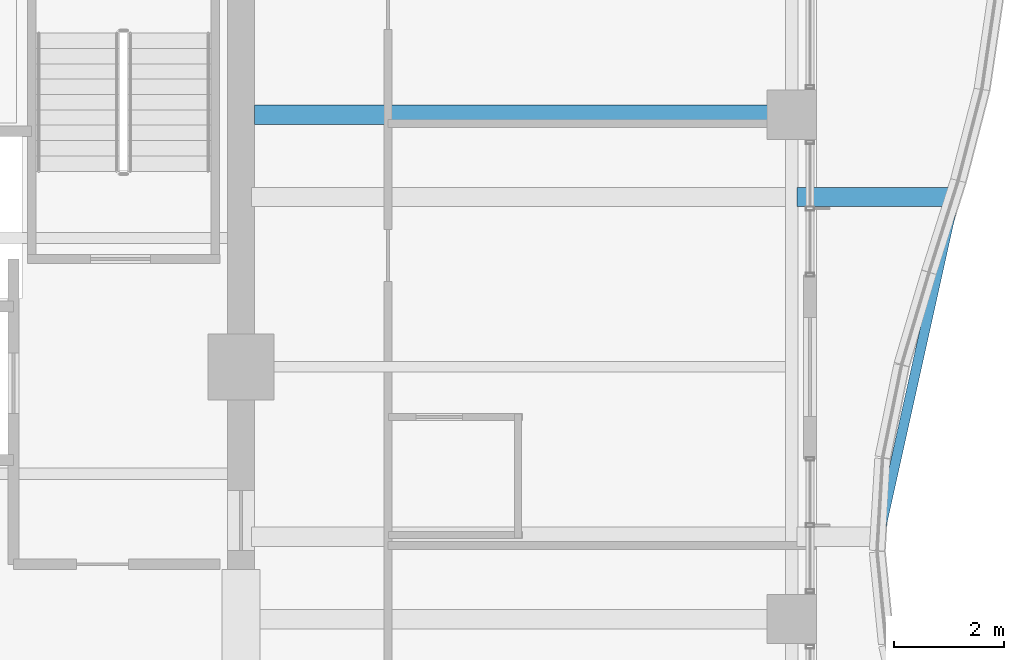
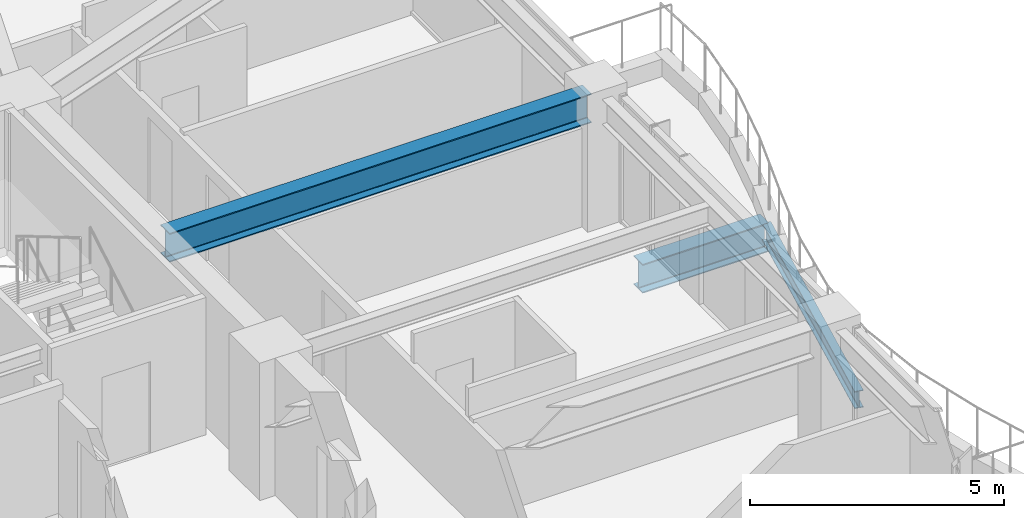
# One storey, part 14 of 34: 3 beams.
"""IFC4 building model written with IfcOpenShell, lengths in metres."""

from ifc_helpers import new_model, si_unit, direction, frame, origin, origin_2d, place, context, subcontext, project, spatial, i_section, extrude, material, material_profile, profile_set, type_object, element, save


model = new_model("IFC4")

# Units and contexts
model_context = context("Model", 3, precision=1e-05, world=origin(), true_north=direction((0.0, 1.0)))
body_context = subcontext(model_context, "Body", "Model", "MODEL_VIEW")
ifc_project = project(units=[si_unit("LENGTHUNIT", "METRE"), si_unit("AREAUNIT", "SQUARE_METRE"), si_unit("VOLUMEUNIT", "CUBIC_METRE"), si_unit("PLANEANGLEUNIT", "RADIAN"), si_unit("MASSUNIT", "GRAM", prefix="KILO")], contexts=[model_context])

# Site, building, storey
site_placement = place(None, origin())
site = spatial("IfcSite", under=ifc_project, at=site_placement, CompositionType="ELEMENT")
building_placement = place(site_placement, origin())
building = spatial("IfcBuilding", under=site, at=building_placement, Name="Kolvaren Belvedere", CompositionType="ELEMENT")
storey_placement = place(building_placement, frame((0.0, 0.0, 189.89990234375)))
storey = spatial("IfcBuildingStorey", under=building, at=storey_placement, Name="L55", CompositionType="ELEMENT", Elevation=189.89990234375)

# Beams
ifc_material_1 = material(Name="Structural steel ASTM A992 Grade 50", Category="steel")
ifc_material_profile_1 = material_profile(ifc_material_1, i_section(OverallWidth=0.35498046875, OverallDepth=0.696044921875, WebThickness=0.015380859375, FlangeThickness=0.02490234375, FilletRadius=0.02197265625, at=origin_2d()), Name="W27X146")
ifc_profile_set_1 = profile_set([ifc_material_profile_1], Name="Structural steel ASTM A992 Grade 50")
beam_type_1 = type_object("IfcBeamType", Name="BM-CANT-BAL", PredefinedType="BEAM", material=ifc_profile_set_1)
beam_1_placement = place(storey_placement, frame((20.044921875, 3.10009765625, -0.56787109375), z_axis=(1.0, 0.0, 0.0), x_axis=(0.0, 1.0, 0.0)))
element("IfcBeam", 1, at=beam_1_placement, inside=storey, type_object=beam_type_1, Name="L55 Planted Balcony Cantilever BAL-E-2", PredefinedType="BEAM", context=body_context, shape_type="SweptSolid", body=[
    extrude(i_section(OverallWidth=0.35498046875, OverallDepth=0.696044921875, WebThickness=0.015380859375, FlangeThickness=0.02490234375, FilletRadius=0.02197265625, at=origin_2d()), origin(), (0.0, 0.0, 1.0), 2.8701171875),
])
ifc_material_2 = material(Name="Structural steel ASTM A992 Grade 50", Category="steel")
ifc_material_profile_2 = material_profile(ifc_material_2, i_section(OverallWidth=0.180908203125, OverallDepth=0.4169921875, WebThickness=0.010986328125, FlangeThickness=0.018310546875, FilletRadius=0.013916015625, at=origin_2d()), Name="W16X57")
ifc_profile_set_2 = profile_set([ifc_material_profile_2], Name="Structural steel ASTM A992 Grade 50")
beam_type_2 = type_object("IfcBeamType", Name="BM-EDGE-W16X57", PredefinedType="BEAM", material=ifc_profile_set_2)
beam_2_placement = place(storey_placement, frame((21.568115234375, -2.96337890625, -0.428466796875), z_axis=(0.216866590272, 0.97620125078, 0.0), x_axis=(-0.97620125078, 0.216866590272, 0.0)))
element("IfcBeam", 2, at=beam_2_placement, inside=storey, type_object=beam_type_2, Name="L55 Balcony Tip Header Beam BAL-E", PredefinedType="BEAM", context=body_context, shape_type="SweptSolid", body=[
    extrude(i_section(OverallWidth=0.180908203125, OverallDepth=0.4169921875, WebThickness=0.010986328125, FlangeThickness=0.018310546875, FilletRadius=0.013916015625, at=origin_2d()), origin(), (0.0, 0.0, 1.0), 6.0712890625),
])
ifc_material_3 = material(Name="Structural steel ASTM A992 Grade 50", Category="steel")
ifc_material_profile_3 = material_profile(ifc_material_3, i_section(OverallWidth=0.35498046875, OverallDepth=0.696044921875, WebThickness=0.015380859375, FlangeThickness=0.02490234375, FilletRadius=0.02197265625, at=origin_2d()), Name="W27X146")
ifc_profile_set_3 = profile_set([ifc_material_profile_3], Name="Structural steel ASTM A992 Grade 50")
beam_type_3 = type_object("IfcBeamType", Name="BM-GIRD-W27X146", PredefinedType="BEAM", material=ifc_profile_set_3)
beam_3_placement = place(storey_placement, frame((10.14990234375, 4.60009765625, 2.732177734375), z_axis=(1.0, 0.0, 0.0), x_axis=(0.0, 1.0, 0.0)))
element("IfcBeam", 3, at=beam_3_placement, inside=storey, type_object=beam_type_3, Name="L55 East Radial Girder P", PredefinedType="BEAM", context=body_context, shape_type="SweptSolid", body=[
    extrude(i_section(OverallWidth=0.35498046875, OverallDepth=0.696044921875, WebThickness=0.015380859375, FlangeThickness=0.02490234375, FilletRadius=0.02197265625, at=origin_2d()), origin(), (0.0, 0.0, 1.0), 9.59765625),
])

save(model, "model.ifc")
